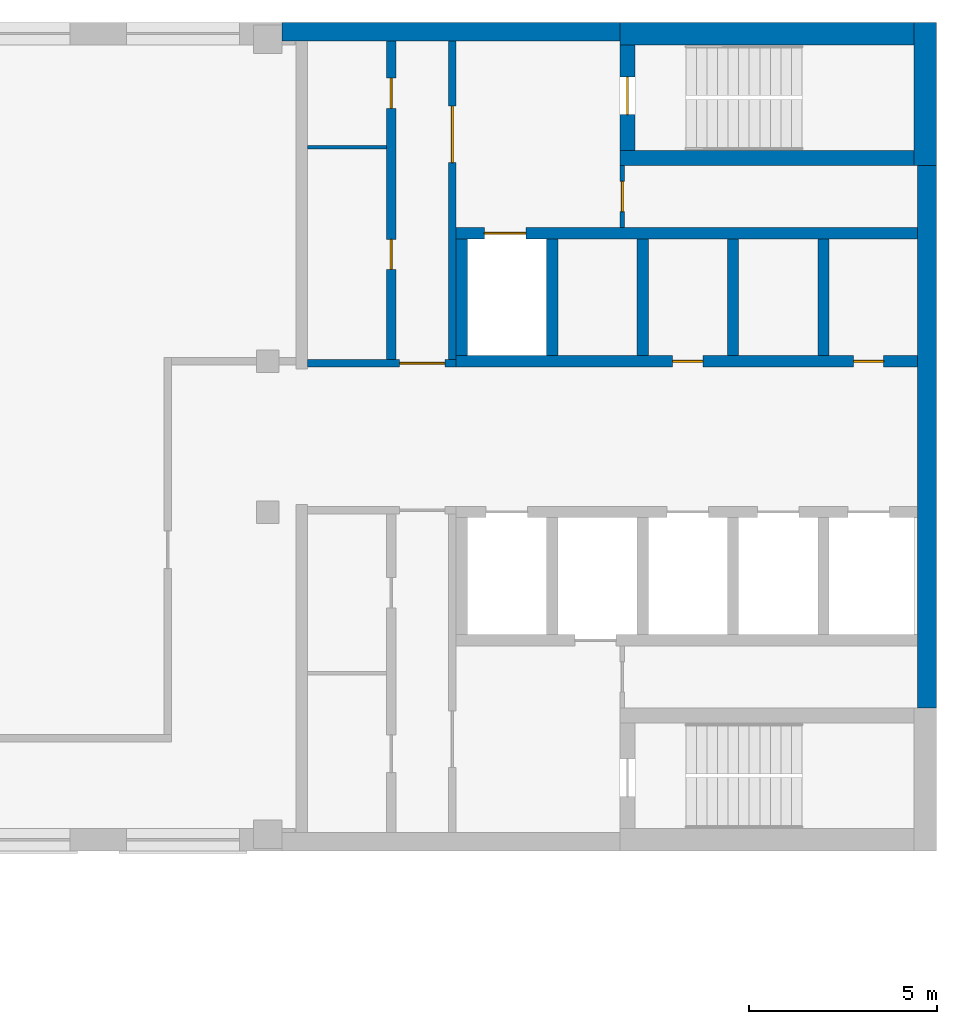
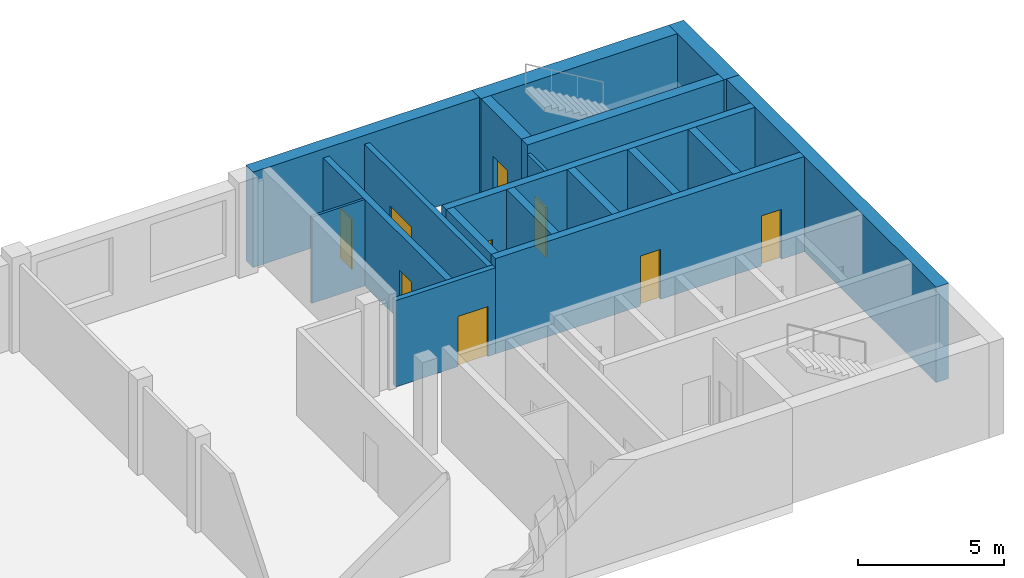
# One storey, part 6 of 8: 18 walls, 9 doors, 9 openings.
"""IFC4 building model written with IfcOpenShell, lengths in metres."""

from ifc_helpers import new_model, si_unit, direction, frame, frame_2d, origin, place, context, subcontext, project, spatial, rectangle, extrude, material, layer, layer_set, type_object, element, fill, save


model = new_model("IFC4")

# Units and contexts
model_context = context("Model", 3, precision=1e-05, world=origin(), true_north=direction((0.0, 1.0)))
body_context = subcontext(model_context, "Body", "Model", "MODEL_VIEW")
ifc_project = project(units=[si_unit("LENGTHUNIT", "METRE"), si_unit("AREAUNIT", "SQUARE_METRE"), si_unit("VOLUMEUNIT", "CUBIC_METRE"), si_unit("PLANEANGLEUNIT", "RADIAN"), si_unit("MASSUNIT", "GRAM", prefix="KILO")], contexts=[model_context])

# Site, building, storey
site_placement = place(None, origin())
site = spatial("IfcSite", under=ifc_project, at=site_placement, CompositionType="ELEMENT")
building_placement = place(site_placement, origin())
building = spatial("IfcBuilding", under=site, at=building_placement, Name="Skarvind Civic Tower", CompositionType="ELEMENT")
storey_placement = place(building_placement, frame((0.0, 0.0, 216.0)))
storey = spatial("IfcBuildingStorey", under=building, at=storey_placement, Name="L51", CompositionType="ELEMENT", Elevation=216.0)

# Wall, opening, door
ifc_material_1 = material(Name="Fire-rated masonry partition", Category="masonry")
ifc_layer_1 = layer(ifc_material_1, 0.199951171875)
ifc_layer_set_1 = layer_set([ifc_layer_1], Name="Core enclosure wall 200")
wall_type_1 = type_object("IfcWallType", Name="Core enclosure wall 200", PredefinedType="PARTITIONING", material=ifc_layer_set_1)
wall_1_placement = place(storey_placement, frame((91.300048828125, 129.949951171875, 0.0), z_axis=(0.0, 0.0, 1.0), x_axis=(1.0, 0.0, 0.0)))
wall_1 = element("IfcWall", 1, at=wall_1_placement, inside=storey, type_object=wall_type_1, Name="Core wall C1", PredefinedType="PARTITIONING", context=body_context, shape_type="SweptSolid", body=[
    extrude(rectangle(XDim=3.949951171875, YDim=0.199951171875, at=frame_2d((1.97509765625, 0.0))), origin(), (0.0, 0.0, 1.0), 3.625),
])
opening_1_placement = place(wall_1_placement, frame((2.449951171875, 0.0, 0.0)))
opening_1 = element("IfcOpeningElement", 2, at=opening_1_placement, cuts=wall_1, Name="Opening D-L51-C1-13", PredefinedType="OPENING", context=body_context, shape_type="SweptSolid", body=[
    extrude(rectangle(XDim=1.199951171875, YDim=2.10009765625, at=frame_2d((0.60009765625, 1.050048828125))), frame((0.0, 0.10986328125, 0.0), z_axis=(0.0, -1.0, 0.0), x_axis=(1.0, 0.0, 0.0)), (0.0, 0.0, 1.0), 0.219970703125),
])
ifc_material_2 = material(Name="Fire-rated steel door", Category="steel")
door_type_1 = type_object("IfcDoorType", Name="Core lobby door 1200", OperationType="NOTDEFINED", PredefinedType="DOOR", material=ifc_material_2)
door_1_placement = place(opening_1_placement, origin())
door_1 = element("IfcDoor", 3, at=door_1_placement, inside=storey, type_object=door_type_1, Name="Fire door", OperationType="DOUBLE_DOOR_SINGLE_SWING", OverallHeight=2.10009765625, OverallWidth=1.199951171875, PredefinedType="DOOR", context=body_context, shape_type="SweptSolid", body=[
    extrude(rectangle(XDim=1.199951171875, YDim=2.10009765625, at=frame_2d((0.60009765625, 1.050048828125))), frame((0.0, 0.02490234375, 0.0), z_axis=(0.0, -1.0, 0.0), x_axis=(1.0, 0.0, 0.0)), (0.0, 0.0, 1.0), 0.050048828125),
])
fill(opening_1, door_1)

wall_2_placement = place(storey_placement, frame((95.14990234375, 130.050048828125, 0.0), z_axis=(0.0, 0.0, 1.0), x_axis=(0.0, 1.0, 0.0)))
wall_2 = element("IfcWall", 4, at=wall_2_placement, inside=storey, type_object=wall_type_1, Name="Core wall C1", PredefinedType="PARTITIONING", context=body_context, shape_type="SweptSolid", body=[
    extrude(rectangle(XDim=8.449951171875, YDim=0.199951171875, at=frame_2d((4.22509765625, 0.0))), origin(), (0.0, 0.0, 1.0), 3.625),
])
opening_2_placement = place(wall_2_placement, frame((5.22509765625, 0.0, 0.0)))
opening_2 = element("IfcOpeningElement", 5, at=opening_2_placement, cuts=wall_2, Name="Opening D-L51-C1-14", PredefinedType="OPENING", context=body_context, shape_type="SweptSolid", body=[
    extrude(rectangle(XDim=1.5, YDim=2.10009765625, at=frame_2d((0.75, 1.050048828125))), frame((0.0, 0.10986328125, 0.0), z_axis=(0.0, -1.0, 0.0), x_axis=(1.0, 0.0, 0.0)), (0.0, 0.0, 1.0), 0.219970703125),
])
door_type_2 = type_object("IfcDoorType", Name="Fire door 1500", OperationType="NOTDEFINED", PredefinedType="DOOR", material=ifc_material_2)
door_2_placement = place(opening_2_placement, origin())
door_2 = element("IfcDoor", 6, at=door_2_placement, inside=storey, type_object=door_type_2, Name="Fire door", OperationType="DOUBLE_DOOR_SINGLE_SWING", OverallHeight=2.10009765625, OverallWidth=1.5, PredefinedType="DOOR", context=body_context, shape_type="SweptSolid", body=[
    extrude(rectangle(XDim=1.5, YDim=2.10009765625, at=frame_2d((0.75, 1.050048828125))), frame((0.0, 0.02490234375, 0.0), z_axis=(0.0, -1.0, 0.0), x_axis=(1.0, 0.0, 0.0)), (0.0, 0.0, 1.0), 0.050048828125),
])
fill(opening_2, door_2)

# Wall
ifc_material_3 = material(Name="Fire-rated plasterboard partition")
ifc_layer_2 = layer(ifc_material_3, 0.10009765625)
ifc_layer_set_2 = layer_set([ifc_layer_2], Name="Core partition wall 100")
wall_type_2 = type_object("IfcWallType", Name="Core partition wall 100", PredefinedType="PARTITIONING", material=ifc_layer_set_2)
wall_3_placement = place(storey_placement, frame((91.300048828125, 135.679931640625, 0.0), z_axis=(0.0, 0.0, 1.0), x_axis=(1.0, 0.0, 0.0)))
element("IfcWall", 7, at=wall_3_placement, inside=storey, type_object=wall_type_2, Name="Core wall C1", PredefinedType="PARTITIONING", context=body_context, shape_type="SweptSolid", body=[
    extrude(rectangle(XDim=2.099853515625, YDim=0.10009765625, at=frame_2d((1.0498046875, 0.0))), origin(), (0.0, 0.0, 1.0), 3.625),
])

# Wall, openings, doors
ifc_material_4 = material(Name="Concrete C60", Category="concrete")
ifc_layer_3 = layer(ifc_material_4, 0.300048828125)
ifc_layer_set_3 = layer_set([ifc_layer_3], Name="Core wall 300 C60")
wall_type_3 = type_object("IfcWallType", Name="Core wall 300 C60", PredefinedType="SHEAR", material=ifc_layer_set_3)
wall_4_placement = place(storey_placement, frame((107.5, 130.0, 0.0), z_axis=(0.0, 0.0, 1.0), x_axis=(-1.0, 0.0, 0.0)))
wall_4 = element("IfcWall", 8, at=wall_4_placement, inside=storey, type_object=wall_type_3, Name="Core wall C1 south lift row front L51", PredefinedType="SHEAR", context=body_context, shape_type="SweptSolid", body=[
    extrude(rectangle(XDim=12.25, YDim=0.300048828125, at=frame_2d((6.125, 0.0))), origin(), (0.0, 0.0, 1.0), 4.0),
])
opening_3_placement = place(wall_4_placement, frame((0.89990234375, 0.0, 0.0)))
opening_3 = element("IfcOpeningElement", 9, at=opening_3_placement, cuts=wall_4, Name="Opening D-L51-C1-05", PredefinedType="OPENING", context=body_context, shape_type="SweptSolid", body=[
    extrude(rectangle(XDim=0.800048828125, YDim=2.10009765625, at=frame_2d((0.39990234375, 1.050048828125))), frame((0.0, 0.159912109375, 0.0), z_axis=(0.0, -1.0, 0.0), x_axis=(1.0, 0.0, 0.0)), (0.0, 0.0, 1.0), 0.320068359375),
])
opening_4_placement = place(wall_4_placement, frame((5.699951171875, 0.0, 0.0)))
opening_4 = element("IfcOpeningElement", 10, at=opening_4_placement, cuts=wall_4, Name="Opening D-L51-C1-06", PredefinedType="OPENING", context=body_context, shape_type="SweptSolid", body=[
    extrude(rectangle(XDim=0.800048828125, YDim=2.10009765625, at=frame_2d((0.39990234375, 1.050048828125))), frame((0.0, 0.159912109375, 0.0), z_axis=(0.0, -1.0, 0.0), x_axis=(1.0, 0.0, 0.0)), (0.0, 0.0, 1.0), 0.320068359375),
])
door_type_3 = type_object("IfcDoorType", Name="Core riser door 800", OperationType="NOTDEFINED", PredefinedType="DOOR", material=ifc_material_2)
door_3_placement = place(opening_3_placement, origin())
door_3 = element("IfcDoor", 11, at=door_3_placement, inside=storey, type_object=door_type_3, Name="Riser door", OperationType="SINGLE_SWING_LEFT", OverallHeight=2.10009765625, OverallWidth=0.800048828125, PredefinedType="DOOR", context=body_context, shape_type="SweptSolid", body=[
    extrude(rectangle(XDim=0.800048828125, YDim=2.10009765625, at=frame_2d((0.39990234375, 1.050048828125))), frame((0.0, 0.02490234375, 0.0), z_axis=(0.0, -1.0, 0.0), x_axis=(1.0, 0.0, 0.0)), (0.0, 0.0, 1.0), 0.050048828125),
])
fill(opening_3, door_3)
door_4_placement = place(opening_4_placement, origin())
door_4 = element("IfcDoor", 12, at=door_4_placement, inside=storey, type_object=door_type_3, Name="Riser door", OperationType="SINGLE_SWING_RIGHT", OverallHeight=2.10009765625, OverallWidth=0.800048828125, PredefinedType="DOOR", context=body_context, shape_type="SweptSolid", body=[
    extrude(rectangle(XDim=0.800048828125, YDim=2.10009765625, at=frame_2d((0.39990234375, 1.050048828125))), frame((0.0, 0.02490234375, 0.0), z_axis=(0.0, -1.0, 0.0), x_axis=(1.0, 0.0, 0.0)), (0.0, 0.0, 1.0), 0.050048828125),
])
fill(opening_4, door_4)

# Wall, opening, door
wall_5_placement = place(storey_placement, frame((107.5, 133.39990234375, 0.0), z_axis=(0.0, 0.0, 1.0), x_axis=(-1.0, 0.0, 0.0)))
wall_5 = element("IfcWall", 13, at=wall_5_placement, inside=storey, type_object=wall_type_3, Name="Core wall C1 south lift row back L51", PredefinedType="SHEAR", context=body_context, shape_type="SweptSolid", body=[
    extrude(rectangle(XDim=12.25, YDim=0.300048828125, at=frame_2d((6.125, 0.0))), origin(), (0.0, 0.0, 1.0), 4.0),
])
opening_5_placement = place(wall_5_placement, frame((10.39990234375, 0.0, 0.0)))
opening_5 = element("IfcOpeningElement", 14, at=opening_5_placement, cuts=wall_5, Name="Opening LD53110", PredefinedType="OPENING", context=body_context, shape_type="SweptSolid", body=[
    extrude(rectangle(XDim=1.10009765625, YDim=2.10009765625, at=frame_2d((0.550048828125, 1.050048828125))), frame((0.0, 0.159912109375, 0.0), z_axis=(0.0, -1.0, 0.0), x_axis=(1.0, 0.0, 0.0)), (0.0, 0.0, 1.0), 0.320068359375),
])
ifc_material_5 = material(Name="Stainless steel landing door", Category="steel")
door_type_4 = type_object("IfcDoorType", Name="Lift landing door 1100", OperationType="DOUBLE_DOOR_SLIDING", PredefinedType="DOOR", material=ifc_material_5)
door_5_placement = place(opening_5_placement, origin())
door_5 = element("IfcDoor", 15, at=door_5_placement, inside=storey, type_object=door_type_4, Name="Lift landing door", OperationType="DOUBLE_DOOR_SLIDING", OverallHeight=2.10009765625, OverallWidth=1.10009765625, PredefinedType="DOOR", context=body_context, shape_type="SweptSolid", body=[
    extrude(rectangle(XDim=1.10009765625, YDim=2.10009765625, at=frame_2d((0.550048828125, 1.050048828125))), frame((0.0, 0.02490234375, 0.0), z_axis=(0.0, -1.0, 0.0), x_axis=(1.0, 0.0, 0.0)), (0.0, 0.0, 1.0), 0.050048828125),
])
fill(opening_5, door_5)

# Walls
for number, where, z_axis, x_axis, name in (
    (16, (105.0, 133.25, 0.0), (0.0, 0.0, 1.0), (0.0, -1.0, 0.0), "Core wall C1 south lift row division 1 L51"),
    (17, (102.60009765625, 133.25, 0.0), (0.0, 0.0, 1.0), (0.0, -1.0, 0.0), "Core wall C1 south lift row division 2 L51"),
    (18, (100.199951171875, 133.25, 0.0), (0.0, 0.0, 1.0), (0.0, -1.0, 0.0), "Core wall C1 south lift row division 3 L51"),
    (19, (97.800048828125, 133.25, 0.0), (0.0, 0.0, 1.0), (0.0, -1.0, 0.0), "Core wall C1 south lift row division 4 L51"),
    (20, (95.39990234375, 133.25, 0.0), (0.0, 0.0, 1.0), (0.0, -1.0, 0.0), "Core wall C1 south lift row division 5 L51"),
):
    element("IfcWall", number, at=place(storey_placement, frame(where, z_axis=z_axis, x_axis=x_axis)), inside=storey, type_object=wall_type_3, Name=name, PredefinedType="SHEAR", context=body_context, shape_type="SweptSolid", body=[
        extrude(rectangle(XDim=3.10009765625, YDim=0.300048828125, at=frame_2d((1.550048828125, 0.0))), origin(), (0.0, 0.0, 1.0), 4.0),
    ])
ifc_layer_4 = layer(ifc_material_4, 0.39990234375)
ifc_layer_set_4 = layer_set([ifc_layer_4], Name="Core wall 400 C60")
wall_type_4 = type_object("IfcWallType", Name="Core wall 400 C60", PredefinedType="SHEAR", material=ifc_layer_set_4)
wall_6_placement = place(storey_placement, frame((107.39990234375, 135.39990234375, 0.0), z_axis=(0.0, 0.0, 1.0), x_axis=(-1.0, 0.0, 0.0)))
element("IfcWall", 21, at=wall_6_placement, inside=storey, type_object=wall_type_4, Name="Core wall C1 south stair inner L51", PredefinedType="SHEAR", context=body_context, shape_type="SweptSolid", body=[
    extrude(rectangle(XDim=7.7998046875, YDim=0.39990234375, at=frame_2d((3.89990234375, 0.0))), origin(), (0.0, 0.0, 1.0), 4.0),
])

# Wall, opening, door
wall_7_placement = place(storey_placement, frame((99.800048828125, 138.39990234375, 0.0), z_axis=(0.0, 0.0, 1.0), x_axis=(0.0, -1.0, 0.0)))
wall_7 = element("IfcWall", 22, at=wall_7_placement, inside=storey, type_object=wall_type_4, Name="Core wall C1 south stair end L51", PredefinedType="SHEAR", context=body_context, shape_type="SweptSolid", body=[
    extrude(rectangle(XDim=2.7998046875, YDim=0.39990234375, at=frame_2d((1.39990234375, 0.0))), origin(), (0.0, 0.0, 1.0), 4.0),
])
opening_6_placement = place(wall_7_placement, frame((0.85009765625, 0.0, 0.0)))
opening_6 = element("IfcOpeningElement", 23, at=opening_6_placement, cuts=wall_7, Name="Opening D-L51-C1-15", PredefinedType="OPENING", context=body_context, shape_type="SweptSolid", body=[
    extrude(rectangle(XDim=1.0, YDim=2.10009765625, at=frame_2d((0.5, 1.050048828125))), frame((0.0, 0.2099609375, 0.0), z_axis=(0.0, -1.0, 0.0), x_axis=(1.0, 0.0, 0.0)), (0.0, 0.0, 1.0), 0.419921875),
])
door_type_5 = type_object("IfcDoorType", Name="Fire door 1000", OperationType="NOTDEFINED", PredefinedType="DOOR", material=ifc_material_2)
door_6_placement = place(opening_6_placement, origin())
door_6 = element("IfcDoor", 24, at=door_6_placement, inside=storey, type_object=door_type_5, Name="Fire door", OperationType="SINGLE_SWING_RIGHT", OverallHeight=2.10009765625, OverallWidth=1.0, PredefinedType="DOOR", context=body_context, shape_type="SweptSolid", body=[
    extrude(rectangle(XDim=1.0, YDim=2.10009765625, at=frame_2d((0.5, 1.050048828125))), frame((0.0, 0.02490234375, 0.0), z_axis=(0.0, -1.0, 0.0), x_axis=(1.0, 0.0, 0.0)), (0.0, 0.0, 1.0), 0.050048828125),
])
fill(opening_6, door_6)

# Walls
ifc_layer_5 = layer(ifc_material_4, 0.5)
ifc_layer_set_5 = layer_set([ifc_layer_5], Name="Core wall 500 C60")
wall_type_5 = type_object("IfcWallType", Name="Core wall 500 C60", PredefinedType="SHEAR", material=ifc_layer_set_5)
wall_8_placement = place(storey_placement, frame((107.75, 135.199951171875, 0.0), z_axis=(0.0, 0.0, 1.0), x_axis=(0.0, -1.0, 0.0)))
element("IfcWall", 25, at=wall_8_placement, inside=storey, type_object=wall_type_5, Name="Core wall C1 tip between the stairs L51", PredefinedType="SHEAR", context=body_context, shape_type="SweptSolid", body=[
    extrude(rectangle(XDim=14.39990234375, YDim=0.5, at=frame_2d((7.199951171875, 0.0))), origin(), (0.0, 0.0, 1.0), 4.0),
])
wall_9_placement = place(storey_placement, frame((99.60009765625, 138.75, 0.0), z_axis=(0.0, 0.0, 1.0), x_axis=(-1.0, 0.0, 0.0)))
element("IfcWall", 26, at=wall_9_placement, inside=storey, type_object=wall_type_5, Name="Core wall C1 south side L51", PredefinedType="SHEAR", context=body_context, shape_type="SweptSolid", body=[
    extrude(rectangle(XDim=8.97509765625, YDim=0.5, at=frame_2d((4.487548828125, 0.0))), origin(), (0.0, 0.0, 1.0), 4.0),
])
ifc_layer_6 = layer(ifc_material_4, 0.60009765625)
ifc_layer_set_6 = layer_set([ifc_layer_6], Name="Core wall 600 C60")
wall_type_6 = type_object("IfcWallType", Name="Core wall 600 C60", PredefinedType="SHEAR", material=ifc_layer_set_6)
wall_10_placement = place(storey_placement, frame((107.699951171875, 139.0, 0.0), z_axis=(0.0, 0.0, 1.0), x_axis=(0.0, -1.0, 0.0)))
element("IfcWall", 27, at=wall_10_placement, inside=storey, type_object=wall_type_6, Name="Core wall C1 tip at the south stair L51", PredefinedType="SHEAR", context=body_context, shape_type="SweptSolid", body=[
    extrude(rectangle(XDim=3.800048828125, YDim=0.60009765625, at=frame_2d((1.89990234375, 0.0))), origin(), (0.0, 0.0, 1.0), 4.0),
])
wall_11_placement = place(storey_placement, frame((107.39990234375, 138.699951171875, 0.0), z_axis=(0.0, 0.0, 1.0), x_axis=(-1.0, 0.0, 0.0)))
element("IfcWall", 28, at=wall_11_placement, inside=storey, type_object=wall_type_6, Name="Core wall C1 south side at the stair L51", PredefinedType="SHEAR", context=body_context, shape_type="SweptSolid", body=[
    extrude(rectangle(XDim=7.7998046875, YDim=0.60009765625, at=frame_2d((3.89990234375, 0.0))), origin(), (0.0, 0.0, 1.0), 4.0),
])

# Wall, opening, door
ifc_layer_7 = layer(ifc_material_1, 0.125)
ifc_layer_set_7 = layer_set([ifc_layer_7], Name="Riser wall 125")
wall_type_7 = type_object("IfcWallType", Name="Riser wall 125", PredefinedType="PARTITIONING", material=ifc_layer_set_7)
wall_12_placement = place(storey_placement, frame((99.66259765625, 133.550048828125, 0.0), z_axis=(0.0, 0.0, 1.0), x_axis=(0.0, 1.0, 0.0)))
wall_12 = element("IfcWall", 29, at=wall_12_placement, inside=storey, type_object=wall_type_7, Name="Core wall C1", PredefinedType="PARTITIONING", context=body_context, shape_type="SweptSolid", body=[
    extrude(rectangle(XDim=1.64990234375, YDim=0.125, at=frame_2d((0.824951171875, 0.0))), origin(), (0.0, 0.0, 1.0), 3.625),
])
opening_7_placement = place(wall_12_placement, frame((0.425048828125, 0.0, 0.0)))
opening_7 = element("IfcOpeningElement", 30, at=opening_7_placement, cuts=wall_12, Name="Opening D-L51-C1-16", PredefinedType="OPENING", context=body_context, shape_type="SweptSolid", body=[
    extrude(rectangle(XDim=0.800048828125, YDim=2.10009765625, at=frame_2d((0.39990234375, 1.050048828125))), frame((0.0, 0.072509765625, 0.0), z_axis=(0.0, -1.0, 0.0), x_axis=(1.0, 0.0, 0.0)), (0.0, 0.0, 1.0), 0.14501953125),
])
door_7_placement = place(opening_7_placement, origin())
door_7 = element("IfcDoor", 31, at=door_7_placement, inside=storey, type_object=door_type_3, Name="Riser door", OperationType="SINGLE_SWING_LEFT", OverallHeight=2.10009765625, OverallWidth=0.800048828125, PredefinedType="DOOR", context=body_context, shape_type="SweptSolid", body=[
    extrude(rectangle(XDim=0.800048828125, YDim=2.10009765625, at=frame_2d((0.39990234375, 1.050048828125))), frame((0.0, 0.02490234375, 0.0), z_axis=(0.0, -1.0, 0.0), x_axis=(1.0, 0.0, 0.0)), (0.0, 0.0, 1.0), 0.050048828125),
])
fill(opening_7, door_7)

# Wall, openings, doors
ifc_layer_8 = layer(ifc_material_1, 0.25)
ifc_layer_set_8 = layer_set([ifc_layer_8], Name="Service block wall 250")
wall_type_8 = type_object("IfcWallType", Name="Service block wall 250", PredefinedType="PARTITIONING", material=ifc_layer_set_8)
wall_13_placement = place(storey_placement, frame((93.52490234375, 130.050048828125, 0.0), z_axis=(0.0, 0.0, 1.0), x_axis=(0.0, 1.0, 0.0)))
wall_13 = element("IfcWall", 32, at=wall_13_placement, inside=storey, type_object=wall_type_8, Name="Core wall C1", PredefinedType="PARTITIONING", context=body_context, shape_type="SweptSolid", body=[
    extrude(rectangle(XDim=8.449951171875, YDim=0.25, at=frame_2d((4.22509765625, 0.0))), origin(), (0.0, 0.0, 1.0), 3.625),
])
opening_8_placement = place(wall_13_placement, frame((2.389892578125, 0.0, 0.0)))
opening_8 = element("IfcOpeningElement", 33, at=opening_8_placement, cuts=wall_13, Name="Opening D-L51-C1-17", PredefinedType="OPENING", context=body_context, shape_type="SweptSolid", body=[
    extrude(rectangle(XDim=0.800048828125, YDim=2.10009765625, at=frame_2d((0.39990234375, 1.050048828125))), frame((0.0, 0.135009765625, 0.0), z_axis=(0.0, -1.0, 0.0), x_axis=(1.0, 0.0, 0.0)), (0.0, 0.0, 1.0), 0.27001953125),
])
opening_9_placement = place(wall_13_placement, frame((6.6650390625, 0.0, 0.0)))
opening_9 = element("IfcOpeningElement", 34, at=opening_9_placement, cuts=wall_13, Name="Opening D-L51-C1-18", PredefinedType="OPENING", context=body_context, shape_type="SweptSolid", body=[
    extrude(rectangle(XDim=0.800048828125, YDim=2.10009765625, at=frame_2d((0.39990234375, 1.050048828125))), frame((0.0, 0.135009765625, 0.0), z_axis=(0.0, -1.0, 0.0), x_axis=(1.0, 0.0, 0.0)), (0.0, 0.0, 1.0), 0.27001953125),
])
door_8_placement = place(opening_8_placement, origin())
door_8 = element("IfcDoor", 35, at=door_8_placement, inside=storey, type_object=door_type_3, Name="Riser door", OperationType="SINGLE_SWING_RIGHT", OverallHeight=2.10009765625, OverallWidth=0.800048828125, PredefinedType="DOOR", context=body_context, shape_type="SweptSolid", body=[
    extrude(rectangle(XDim=0.800048828125, YDim=2.10009765625, at=frame_2d((0.39990234375, 1.050048828125))), frame((0.0, 0.02490234375, 0.0), z_axis=(0.0, -1.0, 0.0), x_axis=(1.0, 0.0, 0.0)), (0.0, 0.0, 1.0), 0.050048828125),
])
fill(opening_8, door_8)
door_9_placement = place(opening_9_placement, origin())
door_9 = element("IfcDoor", 36, at=door_9_placement, inside=storey, type_object=door_type_3, Name="Riser door", OperationType="SINGLE_SWING_LEFT", OverallHeight=2.10009765625, OverallWidth=0.800048828125, PredefinedType="DOOR", context=body_context, shape_type="SweptSolid", body=[
    extrude(rectangle(XDim=0.800048828125, YDim=2.10009765625, at=frame_2d((0.39990234375, 1.050048828125))), frame((0.0, 0.02490234375, 0.0), z_axis=(0.0, -1.0, 0.0), x_axis=(1.0, 0.0, 0.0)), (0.0, 0.0, 1.0), 0.050048828125),
])
fill(opening_9, door_9)

save(model, "model.ifc")
